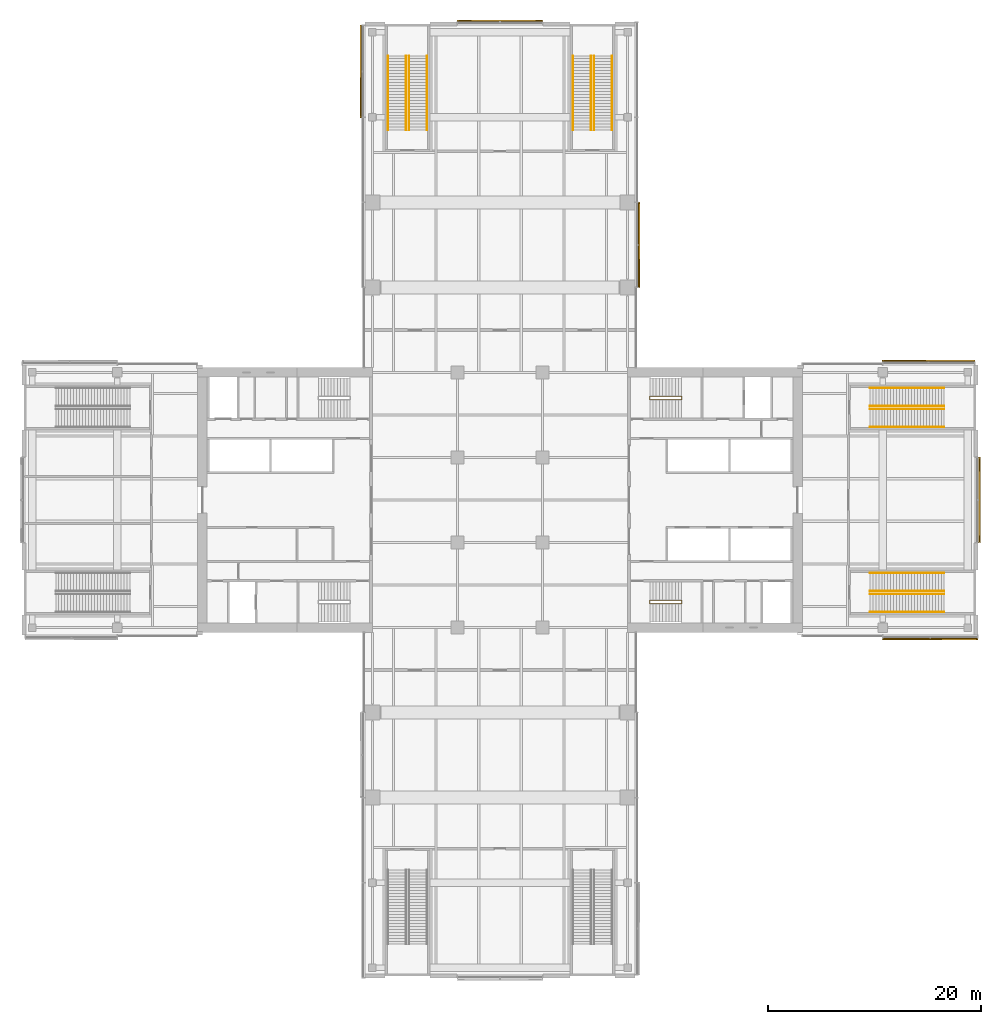
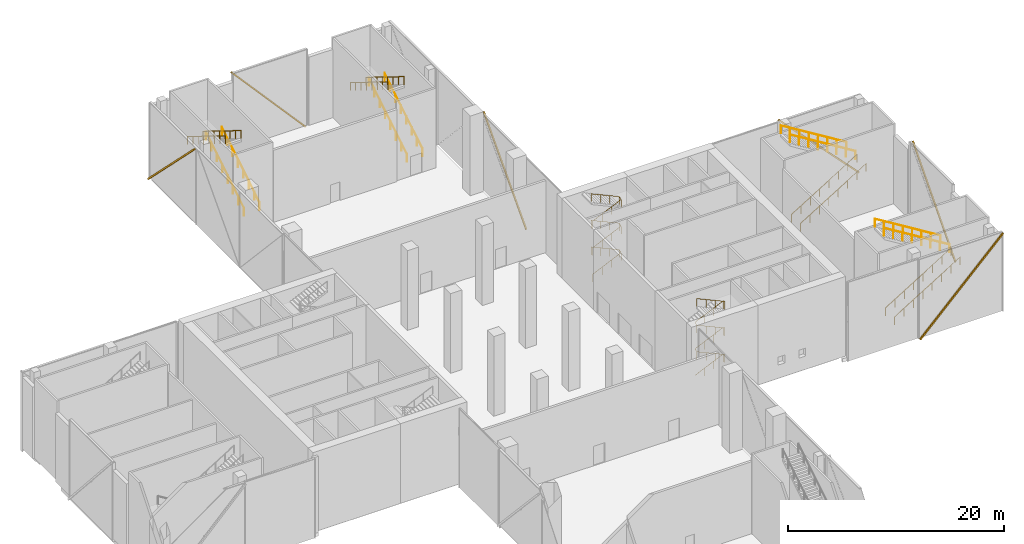
# One storey, part 26 of 26: 18 railings, 6 shading devices, 6 elements without a shape of their own.
"""IFC4 building model written with IfcOpenShell, lengths in metres."""

from ifc_helpers import new_model, si_unit, direction, frame, origin, origin_2d, place, context, subcontext, project, spatial, rectangle, circle, extrude, material, material_profile, profile_set, type_object, element, aggregate, save


model = new_model("IFC4")

# Units and contexts
model_context = context("Model", 3, precision=1e-05, world=origin(), true_north=direction((0.0, 1.0)))
body_context = subcontext(model_context, "Body", "Model", "MODEL_VIEW")
ifc_project = project(units=[si_unit("LENGTHUNIT", "METRE"), si_unit("AREAUNIT", "SQUARE_METRE"), si_unit("VOLUMEUNIT", "CUBIC_METRE"), si_unit("PLANEANGLEUNIT", "RADIAN"), si_unit("MASSUNIT", "GRAM", prefix="KILO")], contexts=[model_context])

# Site, building, storey
site_placement = place(None, origin())
site = spatial("IfcSite", under=ifc_project, at=site_placement, CompositionType="ELEMENT")
building_placement = place(site_placement, origin())
building = spatial("IfcBuilding", under=site, at=building_placement, Name="Crosswind Convention Tower", CompositionType="ELEMENT")
storey_placement = place(building_placement, frame((0.0, 0.0, 25.0)))
storey = spatial("IfcBuildingStorey", under=building, at=storey_placement, Name="L03", CompositionType="ELEMENT", Elevation=25.0)

# Railings
ifc_material_1 = material(Name="Stainless steel", Category="steel")
railing_type_1 = type_object("IfcRailingType", Name="STAIR HANDRAIL 900", PredefinedType="HANDRAIL", material=ifc_material_1)
for number, where, name in (
    (1, (159.800048828125, 89.4599609375, 0.173095703125), "Handrail E1 L03 1"),
    (2, (159.800048828125, 91.139892578125, 0.173095703125), "Handrail E1 L03 2"),
):
    element("IfcRailing", number, at=place(storey_placement, frame(where)), inside=storey, type_object=railing_type_1, Name=name, PredefinedType="HANDRAIL", context=body_context, shape_type="SweptSolid", body=[
        extrude(circle(Radius=0.02392578125, at=origin_2d()), frame((0.0, 0.0, 0.8759765625), z_axis=(0.850614592968, 0.0, 0.525789705328), x_axis=(0.0, 1.0, 0.0)), (0.0, 0.0, 1.0), 8.229248046875),
        extrude(circle(Radius=0.02099609375, at=origin_2d()), origin(), (0.0, 0.0, 1.0), 0.851806640625),
        extrude(circle(Radius=0.02099609375, at=origin_2d()), frame((1.0, 0.0, 0.6181640625)), (0.0, 0.0, 1.0), 0.851806640625),
        extrude(circle(Radius=0.02099609375, at=origin_2d()), frame((2.0, 0.0, 1.236328125)), (0.0, 0.0, 1.0), 0.851806640625),
        extrude(circle(Radius=0.02099609375, at=origin_2d()), frame((3.0, 0.0, 1.8544921875)), (0.0, 0.0, 1.0), 0.851806640625),
        extrude(circle(Radius=0.02099609375, at=origin_2d()), frame((4.0, 0.0, 2.472412109375)), (0.0, 0.0, 1.0), 0.851806640625),
        extrude(circle(Radius=0.02099609375, at=origin_2d()), frame((5.0, 0.0, 3.090576171875)), (0.0, 0.0, 1.0), 0.851806640625),
        extrude(circle(Radius=0.02099609375, at=origin_2d()), frame((6.0, 0.0, 3.708740234375)), (0.0, 0.0, 1.0), 0.851806640625),
        extrude(circle(Radius=0.02099609375, at=origin_2d()), frame((7.0, 0.0, 4.326904296875)), (0.0, 0.0, 1.0), 0.851806640625),
    ])
for number, where, name in (
    (3, (166.800048828125, 91.4599609375, 4.673095703125), "Handrail E1 L03 3"),
    (4, (166.800048828125, 93.139892578125, 4.673095703125), "Handrail E1 L03 4"),
):
    element("IfcRailing", number, at=place(storey_placement, frame(where)), inside=storey, type_object=railing_type_1, Name=name, PredefinedType="HANDRAIL", context=body_context, shape_type="SweptSolid", body=[
        extrude(circle(Radius=0.02392578125, at=origin_2d()), frame((0.0, 0.0, 0.8759765625), z_axis=(-0.850614592968, 0.0, 0.525789705328), x_axis=(0.0, -1.0, 0.0)), (0.0, 0.0, 1.0), 8.229248046875),
        extrude(circle(Radius=0.02099609375, at=origin_2d()), origin(), (0.0, 0.0, 1.0), 0.851806640625),
        extrude(circle(Radius=0.02099609375, at=origin_2d()), frame((-1.0, 0.0, 0.6181640625)), (0.0, 0.0, 1.0), 0.851806640625),
        extrude(circle(Radius=0.02099609375, at=origin_2d()), frame((-2.0, 0.0, 1.236328125)), (0.0, 0.0, 1.0), 0.851806640625),
        extrude(circle(Radius=0.02099609375, at=origin_2d()), frame((-3.0, 0.0, 1.8544921875)), (0.0, 0.0, 1.0), 0.851806640625),
        extrude(circle(Radius=0.02099609375, at=origin_2d()), frame((-4.0, 0.0, 2.472412109375)), (0.0, 0.0, 1.0), 0.851806640625),
        extrude(circle(Radius=0.02099609375, at=origin_2d()), frame((-5.0, 0.0, 3.090576171875)), (0.0, 0.0, 1.0), 0.851806640625),
        extrude(circle(Radius=0.02099609375, at=origin_2d()), frame((-6.0, 0.0, 3.708740234375)), (0.0, 0.0, 1.0), 0.851806640625),
        extrude(circle(Radius=0.02099609375, at=origin_2d()), frame((-7.0, 0.0, 4.326904296875)), (0.0, 0.0, 1.0), 0.851806640625),
    ])
for number, where, name in (
    (5, (159.800048828125, 106.860107421875, 0.173095703125), "Handrail E2 L03 1"),
    (6, (159.800048828125, 108.5400390625, 0.173095703125), "Handrail E2 L03 2"),
):
    element("IfcRailing", number, at=place(storey_placement, frame(where)), inside=storey, type_object=railing_type_1, Name=name, PredefinedType="HANDRAIL", context=body_context, shape_type="SweptSolid", body=[
        extrude(circle(Radius=0.02392578125, at=origin_2d()), frame((0.0, 0.0, 0.8759765625), z_axis=(0.850614592968, 0.0, 0.525789705328), x_axis=(0.0, 1.0, 0.0)), (0.0, 0.0, 1.0), 8.229248046875),
        extrude(circle(Radius=0.02099609375, at=origin_2d()), origin(), (0.0, 0.0, 1.0), 0.851806640625),
        extrude(circle(Radius=0.02099609375, at=origin_2d()), frame((1.0, 0.0, 0.6181640625)), (0.0, 0.0, 1.0), 0.851806640625),
        extrude(circle(Radius=0.02099609375, at=origin_2d()), frame((2.0, 0.0, 1.236328125)), (0.0, 0.0, 1.0), 0.851806640625),
        extrude(circle(Radius=0.02099609375, at=origin_2d()), frame((3.0, 0.0, 1.8544921875)), (0.0, 0.0, 1.0), 0.851806640625),
        extrude(circle(Radius=0.02099609375, at=origin_2d()), frame((4.0, 0.0, 2.472412109375)), (0.0, 0.0, 1.0), 0.851806640625),
        extrude(circle(Radius=0.02099609375, at=origin_2d()), frame((5.0, 0.0, 3.090576171875)), (0.0, 0.0, 1.0), 0.851806640625),
        extrude(circle(Radius=0.02099609375, at=origin_2d()), frame((6.0, 0.0, 3.708740234375)), (0.0, 0.0, 1.0), 0.851806640625),
        extrude(circle(Radius=0.02099609375, at=origin_2d()), frame((7.0, 0.0, 4.326904296875)), (0.0, 0.0, 1.0), 0.851806640625),
    ])
for number, where, name in (
    (7, (166.800048828125, 108.860107421875, 4.673095703125), "Handrail E2 L03 3"),
    (8, (166.800048828125, 110.5400390625, 4.673095703125), "Handrail E2 L03 4"),
):
    element("IfcRailing", number, at=place(storey_placement, frame(where)), inside=storey, type_object=railing_type_1, Name=name, PredefinedType="HANDRAIL", context=body_context, shape_type="SweptSolid", body=[
        extrude(circle(Radius=0.02392578125, at=origin_2d()), frame((0.0, 0.0, 0.8759765625), z_axis=(-0.850614592968, 0.0, 0.525789705328), x_axis=(0.0, -1.0, 0.0)), (0.0, 0.0, 1.0), 8.229248046875),
        extrude(circle(Radius=0.02099609375, at=origin_2d()), origin(), (0.0, 0.0, 1.0), 0.851806640625),
        extrude(circle(Radius=0.02099609375, at=origin_2d()), frame((-1.0, 0.0, 0.6181640625)), (0.0, 0.0, 1.0), 0.851806640625),
        extrude(circle(Radius=0.02099609375, at=origin_2d()), frame((-2.0, 0.0, 1.236328125)), (0.0, 0.0, 1.0), 0.851806640625),
        extrude(circle(Radius=0.02099609375, at=origin_2d()), frame((-3.0, 0.0, 1.8544921875)), (0.0, 0.0, 1.0), 0.851806640625),
        extrude(circle(Radius=0.02099609375, at=origin_2d()), frame((-4.0, 0.0, 2.472412109375)), (0.0, 0.0, 1.0), 0.851806640625),
        extrude(circle(Radius=0.02099609375, at=origin_2d()), frame((-5.0, 0.0, 3.090576171875)), (0.0, 0.0, 1.0), 0.851806640625),
        extrude(circle(Radius=0.02099609375, at=origin_2d()), frame((-6.0, 0.0, 3.708740234375)), (0.0, 0.0, 1.0), 0.851806640625),
        extrude(circle(Radius=0.02099609375, at=origin_2d()), frame((-7.0, 0.0, 4.326904296875)), (0.0, 0.0, 1.0), 0.851806640625),
    ])
for number, where, name in (
    (9, (118.139892578125, 134.800048828125, 0.173095703125), "Handrail N1 L03 1"),
    (10, (116.4599609375, 134.800048828125, 0.173095703125), "Handrail N1 L03 2"),
):
    element("IfcRailing", number, at=place(storey_placement, frame(where)), inside=storey, type_object=railing_type_1, Name=name, PredefinedType="HANDRAIL", context=body_context, shape_type="SweptSolid", body=[
        extrude(circle(Radius=0.02392578125, at=origin_2d()), frame((0.0, 0.0, 0.8759765625), z_axis=(0.0, 0.850614592968, 0.525789705328), x_axis=(-1.0, 0.0, 0.0)), (0.0, 0.0, 1.0), 8.229248046875),
        extrude(circle(Radius=0.02099609375, at=origin_2d()), origin(), (0.0, 0.0, 1.0), 0.851806640625),
        extrude(circle(Radius=0.02099609375, at=origin_2d()), frame((0.0, 1.0, 0.6181640625)), (0.0, 0.0, 1.0), 0.851806640625),
        extrude(circle(Radius=0.02099609375, at=origin_2d()), frame((0.0, 2.0, 1.236328125)), (0.0, 0.0, 1.0), 0.851806640625),
        extrude(circle(Radius=0.02099609375, at=origin_2d()), frame((0.0, 3.0, 1.8544921875)), (0.0, 0.0, 1.0), 0.851806640625),
        extrude(circle(Radius=0.02099609375, at=origin_2d()), frame((0.0, 4.0, 2.472412109375)), (0.0, 0.0, 1.0), 0.851806640625),
        extrude(circle(Radius=0.02099609375, at=origin_2d()), frame((0.0, 5.0, 3.090576171875)), (0.0, 0.0, 1.0), 0.851806640625),
        extrude(circle(Radius=0.02099609375, at=origin_2d()), frame((0.0, 6.0, 3.708740234375)), (0.0, 0.0, 1.0), 0.851806640625),
        extrude(circle(Radius=0.02099609375, at=origin_2d()), frame((0.0, 7.0, 4.326904296875)), (0.0, 0.0, 1.0), 0.851806640625),
    ])
for number, where, name in (
    (11, (116.139892578125, 141.800048828125, 4.673095703125), "Handrail N1 L03 3"),
    (12, (114.4599609375, 141.800048828125, 4.673095703125), "Handrail N1 L03 4"),
):
    element("IfcRailing", number, at=place(storey_placement, frame(where)), inside=storey, type_object=railing_type_1, Name=name, PredefinedType="HANDRAIL", context=body_context, shape_type="SweptSolid", body=[
        extrude(circle(Radius=0.02392578125, at=origin_2d()), frame((0.0, 0.0, 0.8759765625), z_axis=(0.0, -0.850614592968, 0.525789705328), x_axis=(1.0, 0.0, 0.0)), (0.0, 0.0, 1.0), 8.229248046875),
        extrude(circle(Radius=0.02099609375, at=origin_2d()), origin(), (0.0, 0.0, 1.0), 0.851806640625),
        extrude(circle(Radius=0.02099609375, at=origin_2d()), frame((0.0, -1.0, 0.6181640625)), (0.0, 0.0, 1.0), 0.851806640625),
        extrude(circle(Radius=0.02099609375, at=origin_2d()), frame((0.0, -2.0, 1.236328125)), (0.0, 0.0, 1.0), 0.851806640625),
        extrude(circle(Radius=0.02099609375, at=origin_2d()), frame((0.0, -3.0, 1.8544921875)), (0.0, 0.0, 1.0), 0.851806640625),
        extrude(circle(Radius=0.02099609375, at=origin_2d()), frame((0.0, -4.0, 2.472412109375)), (0.0, 0.0, 1.0), 0.851806640625),
        extrude(circle(Radius=0.02099609375, at=origin_2d()), frame((0.0, -5.0, 3.090576171875)), (0.0, 0.0, 1.0), 0.851806640625),
        extrude(circle(Radius=0.02099609375, at=origin_2d()), frame((0.0, -6.0, 3.708740234375)), (0.0, 0.0, 1.0), 0.851806640625),
        extrude(circle(Radius=0.02099609375, at=origin_2d()), frame((0.0, -7.0, 4.326904296875)), (0.0, 0.0, 1.0), 0.851806640625),
    ])
for number, where, name in (
    (13, (135.5400390625, 134.800048828125, 0.173095703125), "Handrail N2 L03 1"),
    (14, (133.860107421875, 134.800048828125, 0.173095703125), "Handrail N2 L03 2"),
):
    element("IfcRailing", number, at=place(storey_placement, frame(where)), inside=storey, type_object=railing_type_1, Name=name, PredefinedType="HANDRAIL", context=body_context, shape_type="SweptSolid", body=[
        extrude(circle(Radius=0.02392578125, at=origin_2d()), frame((0.0, 0.0, 0.8759765625), z_axis=(0.0, 0.850614592968, 0.525789705328), x_axis=(-1.0, 0.0, 0.0)), (0.0, 0.0, 1.0), 8.229248046875),
        extrude(circle(Radius=0.02099609375, at=origin_2d()), origin(), (0.0, 0.0, 1.0), 0.851806640625),
        extrude(circle(Radius=0.02099609375, at=origin_2d()), frame((0.0, 1.0, 0.6181640625)), (0.0, 0.0, 1.0), 0.851806640625),
        extrude(circle(Radius=0.02099609375, at=origin_2d()), frame((0.0, 2.0, 1.236328125)), (0.0, 0.0, 1.0), 0.851806640625),
        extrude(circle(Radius=0.02099609375, at=origin_2d()), frame((0.0, 3.0, 1.8544921875)), (0.0, 0.0, 1.0), 0.851806640625),
        extrude(circle(Radius=0.02099609375, at=origin_2d()), frame((0.0, 4.0, 2.472412109375)), (0.0, 0.0, 1.0), 0.851806640625),
        extrude(circle(Radius=0.02099609375, at=origin_2d()), frame((0.0, 5.0, 3.090576171875)), (0.0, 0.0, 1.0), 0.851806640625),
        extrude(circle(Radius=0.02099609375, at=origin_2d()), frame((0.0, 6.0, 3.708740234375)), (0.0, 0.0, 1.0), 0.851806640625),
        extrude(circle(Radius=0.02099609375, at=origin_2d()), frame((0.0, 7.0, 4.326904296875)), (0.0, 0.0, 1.0), 0.851806640625),
    ])
for number, where, name in (
    (15, (133.5400390625, 141.800048828125, 4.673095703125), "Handrail N2 L03 3"),
    (16, (131.860107421875, 141.800048828125, 4.673095703125), "Handrail N2 L03 4"),
):
    element("IfcRailing", number, at=place(storey_placement, frame(where)), inside=storey, type_object=railing_type_1, Name=name, PredefinedType="HANDRAIL", context=body_context, shape_type="SweptSolid", body=[
        extrude(circle(Radius=0.02392578125, at=origin_2d()), frame((0.0, 0.0, 0.8759765625), z_axis=(0.0, -0.850614592968, 0.525789705328), x_axis=(1.0, 0.0, 0.0)), (0.0, 0.0, 1.0), 8.229248046875),
        extrude(circle(Radius=0.02099609375, at=origin_2d()), origin(), (0.0, 0.0, 1.0), 0.851806640625),
        extrude(circle(Radius=0.02099609375, at=origin_2d()), frame((0.0, -1.0, 0.6181640625)), (0.0, 0.0, 1.0), 0.851806640625),
        extrude(circle(Radius=0.02099609375, at=origin_2d()), frame((0.0, -2.0, 1.236328125)), (0.0, 0.0, 1.0), 0.851806640625),
        extrude(circle(Radius=0.02099609375, at=origin_2d()), frame((0.0, -3.0, 1.8544921875)), (0.0, 0.0, 1.0), 0.851806640625),
        extrude(circle(Radius=0.02099609375, at=origin_2d()), frame((0.0, -4.0, 2.472412109375)), (0.0, 0.0, 1.0), 0.851806640625),
        extrude(circle(Radius=0.02099609375, at=origin_2d()), frame((0.0, -5.0, 3.090576171875)), (0.0, 0.0, 1.0), 0.851806640625),
        extrude(circle(Radius=0.02099609375, at=origin_2d()), frame((0.0, -6.0, 3.708740234375)), (0.0, 0.0, 1.0), 0.851806640625),
        extrude(circle(Radius=0.02099609375, at=origin_2d()), frame((0.0, -7.0, 4.326904296875)), (0.0, 0.0, 1.0), 0.851806640625),
    ])
railing_type_2 = type_object("IfcRailingType", Name="Stair handrail 900", PredefinedType="HANDRAIL", material=ifc_material_1)
railing_1_placement = place(storey_placement, frame((139.10009765625, 109.43994140625, 0.136474609375)))
element("IfcRailing", 17, at=railing_1_placement, inside=storey, type_object=railing_type_2, Name="Stair ST1 handrail L03", PredefinedType="HANDRAIL", context=body_context, shape_type="SweptSolid", body=[
    extrude(circle(Radius=0.02392578125, at=origin_2d()), frame((0.0, 0.0, 0.8759765625), z_axis=(0.910379163139, 0.0, 0.413775034678), x_axis=(0.0, 1.0, 0.0)), (0.0, 0.0, 1.0), 3.29541015625),
    extrude(circle(Radius=0.02392578125, at=origin_2d()), frame((3.0, 0.0, 2.2392578125), z_axis=(0.0, 0.919869319323, 0.39222498055), x_axis=(-1.0, 0.0, 0.0)), (0.0, 0.0, 1.0), 0.347900390625),
    extrude(circle(Radius=0.02392578125, at=origin_2d()), frame((3.0, 0.320068359375, 2.3759765625), z_axis=(-0.910379163139, 0.0, 0.413775034678), x_axis=(0.0, -1.0, 0.0)), (0.0, 0.0, 1.0), 3.29541015625),
    extrude(circle(Radius=0.02392578125, at=origin_2d()), frame((0.0, 0.320068359375, 3.7392578125), z_axis=(0.0, -0.919869319323, 0.39222498055), x_axis=(1.0, 0.0, 0.0)), (0.0, 0.0, 1.0), 0.347900390625),
    extrude(circle(Radius=0.02392578125, at=origin_2d()), frame((0.0, 0.0, 3.8759765625), z_axis=(0.910379163139, 0.0, 0.413775034678), x_axis=(0.0, 1.0, 0.0)), (0.0, 0.0, 1.0), 3.29541015625),
    extrude(circle(Radius=0.02392578125, at=origin_2d()), frame((3.0, 0.0, 5.2392578125), z_axis=(0.0, 0.919869319323, 0.39222498055), x_axis=(-1.0, 0.0, 0.0)), (0.0, 0.0, 1.0), 0.347900390625),
    extrude(circle(Radius=0.02392578125, at=origin_2d()), frame((3.0, 0.320068359375, 5.3759765625), z_axis=(-0.910379163139, 0.0, 0.413775034678), x_axis=(0.0, -1.0, 0.0)), (0.0, 0.0, 1.0), 3.29541015625),
    extrude(circle(Radius=0.02392578125, at=origin_2d()), frame((0.0, 0.320068359375, 6.7392578125), z_axis=(0.0, -0.919869319323, 0.39222498055), x_axis=(1.0, 0.0, 0.0)), (0.0, 0.0, 1.0), 0.347900390625),
    extrude(circle(Radius=0.02392578125, at=origin_2d()), frame((0.0, 0.0, 6.8759765625), z_axis=(0.910379163139, 0.0, 0.413775034678), x_axis=(0.0, 1.0, 0.0)), (0.0, 0.0, 1.0), 3.29541015625),
    extrude(circle(Radius=0.02392578125, at=origin_2d()), frame((3.0, 0.0, 8.2392578125), z_axis=(0.0, 0.919869319323, 0.39222498055), x_axis=(-1.0, 0.0, 0.0)), (0.0, 0.0, 1.0), 0.347900390625),
    extrude(circle(Radius=0.02392578125, at=origin_2d()), frame((3.0, 0.320068359375, 8.3759765625), z_axis=(-0.910379163139, 0.0, 0.413775034678), x_axis=(0.0, -1.0, 0.0)), (0.0, 0.0, 1.0), 3.29541015625),
    extrude(circle(Radius=0.02099609375, at=origin_2d()), origin(), (0.0, 0.0, 1.0), 0.851806640625),
    extrude(circle(Radius=0.02099609375, at=origin_2d()), frame((1.0, 0.0, 0.45458984375)), (0.0, 0.0, 1.0), 0.851806640625),
    extrude(circle(Radius=0.02099609375, at=origin_2d()), frame((2.0, 0.0, 0.908935546875)), (0.0, 0.0, 1.0), 0.851806640625),
    extrude(circle(Radius=0.02099609375, at=origin_2d()), frame((3.0, 0.0, 1.363525390625)), (0.0, 0.0, 1.0), 0.851806640625),
    extrude(circle(Radius=0.02099609375, at=origin_2d()), frame((3.0, 0.320068359375, 1.5)), (0.0, 0.0, 1.0), 0.851806640625),
    extrude(circle(Radius=0.02099609375, at=origin_2d()), frame((2.0, 0.320068359375, 1.95458984375)), (0.0, 0.0, 1.0), 0.851806640625),
    extrude(circle(Radius=0.02099609375, at=origin_2d()), frame((1.0, 0.320068359375, 2.408935546875)), (0.0, 0.0, 1.0), 0.851806640625),
    extrude(circle(Radius=0.02099609375, at=origin_2d()), frame((0.0, 0.320068359375, 2.863525390625)), (0.0, 0.0, 1.0), 0.851806640625),
    extrude(circle(Radius=0.02099609375, at=origin_2d()), frame((0.0, 0.0, 3.0)), (0.0, 0.0, 1.0), 0.851806640625),
    extrude(circle(Radius=0.02099609375, at=origin_2d()), frame((1.0, 0.0, 3.45458984375)), (0.0, 0.0, 1.0), 0.851806640625),
    extrude(circle(Radius=0.02099609375, at=origin_2d()), frame((2.0, 0.0, 3.908935546875)), (0.0, 0.0, 1.0), 0.851806640625),
    extrude(circle(Radius=0.02099609375, at=origin_2d()), frame((3.0, 0.0, 4.363525390625)), (0.0, 0.0, 1.0), 0.851806640625),
    extrude(circle(Radius=0.02099609375, at=origin_2d()), frame((3.0, 0.320068359375, 4.5)), (0.0, 0.0, 1.0), 0.851806640625),
    extrude(circle(Radius=0.02099609375, at=origin_2d()), frame((2.0, 0.320068359375, 4.95458984375)), (0.0, 0.0, 1.0), 0.851806640625),
    extrude(circle(Radius=0.02099609375, at=origin_2d()), frame((1.0, 0.320068359375, 5.408935546875)), (0.0, 0.0, 1.0), 0.851806640625),
    extrude(circle(Radius=0.02099609375, at=origin_2d()), frame((0.0, 0.320068359375, 5.863525390625)), (0.0, 0.0, 1.0), 0.851806640625),
    extrude(circle(Radius=0.02099609375, at=origin_2d()), frame((0.0, 0.0, 6.0)), (0.0, 0.0, 1.0), 0.851806640625),
    extrude(circle(Radius=0.02099609375, at=origin_2d()), frame((1.0, 0.0, 6.45458984375)), (0.0, 0.0, 1.0), 0.851806640625),
    extrude(circle(Radius=0.02099609375, at=origin_2d()), frame((2.0, 0.0, 6.908935546875)), (0.0, 0.0, 1.0), 0.851806640625),
    extrude(circle(Radius=0.02099609375, at=origin_2d()), frame((3.0, 0.0, 7.363525390625)), (0.0, 0.0, 1.0), 0.851806640625),
    extrude(circle(Radius=0.02099609375, at=origin_2d()), frame((3.0, 0.320068359375, 7.5)), (0.0, 0.0, 1.0), 0.851806640625),
    extrude(circle(Radius=0.02099609375, at=origin_2d()), frame((2.0, 0.320068359375, 7.95458984375)), (0.0, 0.0, 1.0), 0.851806640625),
    extrude(circle(Radius=0.02099609375, at=origin_2d()), frame((1.0, 0.320068359375, 8.408935546875)), (0.0, 0.0, 1.0), 0.851806640625),
    extrude(circle(Radius=0.02099609375, at=origin_2d()), frame((0.0, 0.320068359375, 8.863525390625)), (0.0, 0.0, 1.0), 0.851806640625),
])
railing_2_placement = place(storey_placement, frame((139.10009765625, 90.56005859375, 0.136474609375)))
element("IfcRailing", 18, at=railing_2_placement, inside=storey, type_object=railing_type_2, Name="Stair ST2 handrail L03", PredefinedType="HANDRAIL", context=body_context, shape_type="SweptSolid", body=[
    extrude(circle(Radius=0.02392578125, at=origin_2d()), frame((0.0, 0.0, 0.8759765625), z_axis=(0.910379163139, 0.0, 0.413775034678), x_axis=(0.0, 1.0, 0.0)), (0.0, 0.0, 1.0), 3.29541015625),
    extrude(circle(Radius=0.02392578125, at=origin_2d()), frame((3.0, 0.0, 2.2392578125), z_axis=(0.0, -0.919869319323, 0.39222498055), x_axis=(1.0, 0.0, 0.0)), (0.0, 0.0, 1.0), 0.347900390625),
    extrude(circle(Radius=0.02392578125, at=origin_2d()), frame((3.0, -0.320068359375, 2.3759765625), z_axis=(-0.910379163139, 0.0, 0.413775034678), x_axis=(0.0, -1.0, 0.0)), (0.0, 0.0, 1.0), 3.29541015625),
    extrude(circle(Radius=0.02392578125, at=origin_2d()), frame((0.0, -0.320068359375, 3.7392578125), z_axis=(0.0, 0.919869319323, 0.39222498055), x_axis=(-1.0, 0.0, 0.0)), (0.0, 0.0, 1.0), 0.347900390625),
    extrude(circle(Radius=0.02392578125, at=origin_2d()), frame((0.0, 0.0, 3.8759765625), z_axis=(0.910379163139, 0.0, 0.413775034678), x_axis=(0.0, 1.0, 0.0)), (0.0, 0.0, 1.0), 3.29541015625),
    extrude(circle(Radius=0.02392578125, at=origin_2d()), frame((3.0, 0.0, 5.2392578125), z_axis=(0.0, -0.919869319323, 0.39222498055), x_axis=(1.0, 0.0, 0.0)), (0.0, 0.0, 1.0), 0.347900390625),
    extrude(circle(Radius=0.02392578125, at=origin_2d()), frame((3.0, -0.320068359375, 5.3759765625), z_axis=(-0.910379163139, 0.0, 0.413775034678), x_axis=(0.0, -1.0, 0.0)), (0.0, 0.0, 1.0), 3.29541015625),
    extrude(circle(Radius=0.02392578125, at=origin_2d()), frame((0.0, -0.320068359375, 6.7392578125), z_axis=(0.0, 0.919869319323, 0.39222498055), x_axis=(-1.0, 0.0, 0.0)), (0.0, 0.0, 1.0), 0.347900390625),
    extrude(circle(Radius=0.02392578125, at=origin_2d()), frame((0.0, 0.0, 6.8759765625), z_axis=(0.910379163139, 0.0, 0.413775034678), x_axis=(0.0, 1.0, 0.0)), (0.0, 0.0, 1.0), 3.29541015625),
    extrude(circle(Radius=0.02392578125, at=origin_2d()), frame((3.0, 0.0, 8.2392578125), z_axis=(0.0, -0.919869319323, 0.39222498055), x_axis=(1.0, 0.0, 0.0)), (0.0, 0.0, 1.0), 0.347900390625),
    extrude(circle(Radius=0.02392578125, at=origin_2d()), frame((3.0, -0.320068359375, 8.3759765625), z_axis=(-0.910379163139, 0.0, 0.413775034678), x_axis=(0.0, -1.0, 0.0)), (0.0, 0.0, 1.0), 3.29541015625),
    extrude(circle(Radius=0.02099609375, at=origin_2d()), origin(), (0.0, 0.0, 1.0), 0.851806640625),
    extrude(circle(Radius=0.02099609375, at=origin_2d()), frame((1.0, 0.0, 0.45458984375)), (0.0, 0.0, 1.0), 0.851806640625),
    extrude(circle(Radius=0.02099609375, at=origin_2d()), frame((2.0, 0.0, 0.908935546875)), (0.0, 0.0, 1.0), 0.851806640625),
    extrude(circle(Radius=0.02099609375, at=origin_2d()), frame((3.0, 0.0, 1.363525390625)), (0.0, 0.0, 1.0), 0.851806640625),
    extrude(circle(Radius=0.02099609375, at=origin_2d()), frame((3.0, -0.320068359375, 1.5)), (0.0, 0.0, 1.0), 0.851806640625),
    extrude(circle(Radius=0.02099609375, at=origin_2d()), frame((2.0, -0.320068359375, 1.95458984375)), (0.0, 0.0, 1.0), 0.851806640625),
    extrude(circle(Radius=0.02099609375, at=origin_2d()), frame((1.0, -0.320068359375, 2.408935546875)), (0.0, 0.0, 1.0), 0.851806640625),
    extrude(circle(Radius=0.02099609375, at=origin_2d()), frame((0.0, -0.320068359375, 2.863525390625)), (0.0, 0.0, 1.0), 0.851806640625),
    extrude(circle(Radius=0.02099609375, at=origin_2d()), frame((0.0, 0.0, 3.0)), (0.0, 0.0, 1.0), 0.851806640625),
    extrude(circle(Radius=0.02099609375, at=origin_2d()), frame((1.0, 0.0, 3.45458984375)), (0.0, 0.0, 1.0), 0.851806640625),
    extrude(circle(Radius=0.02099609375, at=origin_2d()), frame((2.0, 0.0, 3.908935546875)), (0.0, 0.0, 1.0), 0.851806640625),
    extrude(circle(Radius=0.02099609375, at=origin_2d()), frame((3.0, 0.0, 4.363525390625)), (0.0, 0.0, 1.0), 0.851806640625),
    extrude(circle(Radius=0.02099609375, at=origin_2d()), frame((3.0, -0.320068359375, 4.5)), (0.0, 0.0, 1.0), 0.851806640625),
    extrude(circle(Radius=0.02099609375, at=origin_2d()), frame((2.0, -0.320068359375, 4.95458984375)), (0.0, 0.0, 1.0), 0.851806640625),
    extrude(circle(Radius=0.02099609375, at=origin_2d()), frame((1.0, -0.320068359375, 5.408935546875)), (0.0, 0.0, 1.0), 0.851806640625),
    extrude(circle(Radius=0.02099609375, at=origin_2d()), frame((0.0, -0.320068359375, 5.863525390625)), (0.0, 0.0, 1.0), 0.851806640625),
    extrude(circle(Radius=0.02099609375, at=origin_2d()), frame((0.0, 0.0, 6.0)), (0.0, 0.0, 1.0), 0.851806640625),
    extrude(circle(Radius=0.02099609375, at=origin_2d()), frame((1.0, 0.0, 6.45458984375)), (0.0, 0.0, 1.0), 0.851806640625),
    extrude(circle(Radius=0.02099609375, at=origin_2d()), frame((2.0, 0.0, 6.908935546875)), (0.0, 0.0, 1.0), 0.851806640625),
    extrude(circle(Radius=0.02099609375, at=origin_2d()), frame((3.0, 0.0, 7.363525390625)), (0.0, 0.0, 1.0), 0.851806640625),
    extrude(circle(Radius=0.02099609375, at=origin_2d()), frame((3.0, -0.320068359375, 7.5)), (0.0, 0.0, 1.0), 0.851806640625),
    extrude(circle(Radius=0.02099609375, at=origin_2d()), frame((2.0, -0.320068359375, 7.95458984375)), (0.0, 0.0, 1.0), 0.851806640625),
    extrude(circle(Radius=0.02099609375, at=origin_2d()), frame((1.0, -0.320068359375, 8.408935546875)), (0.0, 0.0, 1.0), 0.851806640625),
    extrude(circle(Radius=0.02099609375, at=origin_2d()), frame((0.0, -0.320068359375, 8.863525390625)), (0.0, 0.0, 1.0), 0.851806640625),
])

# Curtain wall, shading device
ifc_material_2 = material(Name="Aluminium unitised curtain wall", Category="aluminium")
curtain_wall_type = type_object("IfcCurtainWallType", Name="PODIUM UNITISED WALL 300", PredefinedType="USERDEFINED", material=ifc_material_2)
curtain_wall_1_placement = place(storey_placement, origin())
curtain_wall_1 = element("IfcCurtainWall", 19, at=curtain_wall_1_placement, inside=storey, type_object=curtain_wall_type, Name="CW1 L03 E-TIP 1", ObjectType="UNITISED", PredefinedType="USERDEFINED")
ifc_material_3 = material(Name="Extruded terracotta", Category="masonry")
ifc_material_profile = material_profile(ifc_material_3, rectangle(XDim=0.139892578125, YDim=0.159912109375, at=origin_2d()), Name="TC 140X160")
ifc_profile_set = profile_set([ifc_material_profile], Name="Extruded terracotta")
shading_device_type = type_object("IfcShadingDeviceType", Name="TERRACOTTA BAGUETTE 160X140", PredefinedType="USERDEFINED", material=ifc_profile_set)
shading_device_1_placement = place(storey_placement, frame((170.093994140625, 96.0400390625, -0.39990234375), z_axis=(0.0, 0.663947057218, 0.747779583308), x_axis=(-1.0, 0.0, 0.0)))
shading_device_1 = element("IfcShadingDevice", 20, at=shading_device_1_placement, type_object=shading_device_type, Name="CW1 terracotta baguette 1", ObjectType="BAGUETTE", PredefinedType="USERDEFINED", context=body_context, shape_type="SweptSolid", body=[
    extrude(rectangle(XDim=0.139892578125, YDim=0.159912109375, at=origin_2d()), origin(), (0.0, 0.0, 1.0), 11.928466796875),
])
aggregate(curtain_wall_1, [shading_device_1])

curtain_wall_2_placement = place(storey_placement, origin())
curtain_wall_2 = element("IfcCurtainWall", 21, at=curtain_wall_2_placement, inside=storey, type_object=curtain_wall_type, Name="CW1 L03 E-N 1", ObjectType="UNITISED", PredefinedType="USERDEFINED")
shading_device_2_placement = place(storey_placement, frame((169.6201171875, 113.093994140625, -0.39990234375), z_axis=(-0.693244313332, 0.0, 0.720702658545), x_axis=(0.0, -1.0, 0.0)))
shading_device_2 = element("IfcShadingDevice", 22, at=shading_device_2_placement, type_object=shading_device_type, Name="CW1 terracotta baguette 1", ObjectType="BAGUETTE", PredefinedType="USERDEFINED", context=body_context, shape_type="SweptSolid", body=[
    extrude(rectangle(XDim=0.139892578125, YDim=0.159912109375, at=origin_2d()), origin(), (0.0, 0.0, 1.0), 12.376708984375),
])
aggregate(curtain_wall_2, [shading_device_2])

curtain_wall_3_placement = place(storey_placement, origin())
curtain_wall_3 = element("IfcCurtainWall", 23, at=curtain_wall_3_placement, inside=storey, type_object=curtain_wall_type, Name="CW1 L03 N-E 1", ObjectType="UNITISED", PredefinedType="USERDEFINED")
shading_device_3_placement = place(storey_placement, frame((138.093994140625, 120.0400390625, -0.044921875), z_axis=(0.0, 0.678919601601, 0.734212622175), x_axis=(-1.0, 0.0, 0.0)))
shading_device_3 = element("IfcShadingDevice", 24, at=shading_device_3_placement, type_object=shading_device_type, Name="CW1 terracotta baguette 1", ObjectType="BAGUETTE", PredefinedType="USERDEFINED", context=body_context, shape_type="SweptSolid", body=[
    extrude(rectangle(XDim=0.139892578125, YDim=0.159912109375, at=origin_2d()), origin(), (0.0, 0.0, 1.0), 11.66552734375),
])
aggregate(curtain_wall_3, [shading_device_3])

curtain_wall_4_placement = place(storey_placement, origin())
curtain_wall_4 = element("IfcCurtainWall", 25, at=curtain_wall_4_placement, inside=storey, type_object=curtain_wall_type, Name="CW1 L03 N-TIP 1", ObjectType="UNITISED", PredefinedType="USERDEFINED")
shading_device_4_placement = place(storey_placement, frame((128.9599609375, 145.093994140625, -0.39990234375), z_axis=(-0.663947057218, 0.0, 0.747779583308), x_axis=(0.0, -1.0, 0.0)))
shading_device_4 = element("IfcShadingDevice", 26, at=shading_device_4_placement, type_object=shading_device_type, Name="CW1 terracotta baguette 1", ObjectType="BAGUETTE", PredefinedType="USERDEFINED", context=body_context, shape_type="SweptSolid", body=[
    extrude(rectangle(XDim=0.139892578125, YDim=0.159912109375, at=origin_2d()), origin(), (0.0, 0.0, 1.0), 11.928466796875),
])
aggregate(curtain_wall_4, [shading_device_4])

curtain_wall_5_placement = place(storey_placement, origin())
curtain_wall_5 = element("IfcCurtainWall", 27, at=curtain_wall_5_placement, inside=storey, type_object=curtain_wall_type, Name="CW1 L03 N-W 1", ObjectType="UNITISED", PredefinedType="USERDEFINED")
shading_device_5_placement = place(storey_placement, frame((111.906005859375, 144.6201171875, -0.044921875), z_axis=(0.0, -0.707730784415, 0.706482226805), x_axis=(1.0, 0.0, 0.0)))
shading_device_5 = element("IfcShadingDevice", 28, at=shading_device_5_placement, type_object=shading_device_type, Name="CW1 terracotta baguette 1", ObjectType="BAGUETTE", PredefinedType="USERDEFINED", context=body_context, shape_type="SweptSolid", body=[
    extrude(rectangle(XDim=0.139892578125, YDim=0.159912109375, at=origin_2d()), origin(), (0.0, 0.0, 1.0), 12.123291015625),
])
aggregate(curtain_wall_5, [shading_device_5])

curtain_wall_6_placement = place(storey_placement, origin())
curtain_wall_6 = element("IfcCurtainWall", 29, at=curtain_wall_6_placement, inside=storey, type_object=curtain_wall_type, Name="CW1 L03 E-S 2", ObjectType="UNITISED", PredefinedType="USERDEFINED")
shading_device_6_placement = place(storey_placement, frame((161.0400390625, 86.906005859375, -0.39990234375), z_axis=(0.704919402613, 0.0, 0.709287414113), x_axis=(0.0, 1.0, 0.0)))
shading_device_6 = element("IfcShadingDevice", 30, at=shading_device_6_placement, type_object=shading_device_type, Name="CW1 terracotta baguette 1", ObjectType="BAGUETTE", PredefinedType="USERDEFINED", context=body_context, shape_type="SweptSolid", body=[
    extrude(rectangle(XDim=0.139892578125, YDim=0.159912109375, at=origin_2d()), origin(), (0.0, 0.0, 1.0), 12.575927734375),
])
aggregate(curtain_wall_6, [shading_device_6])

save(model, "model.ifc")
